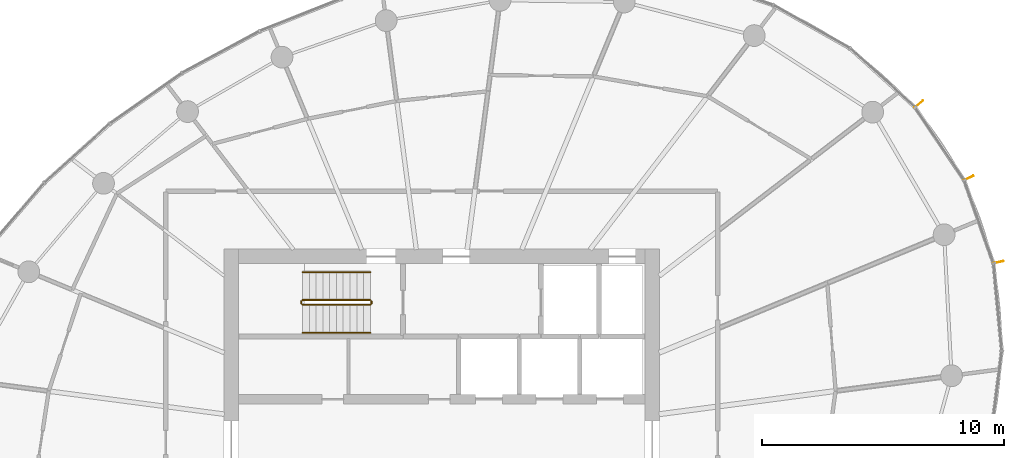
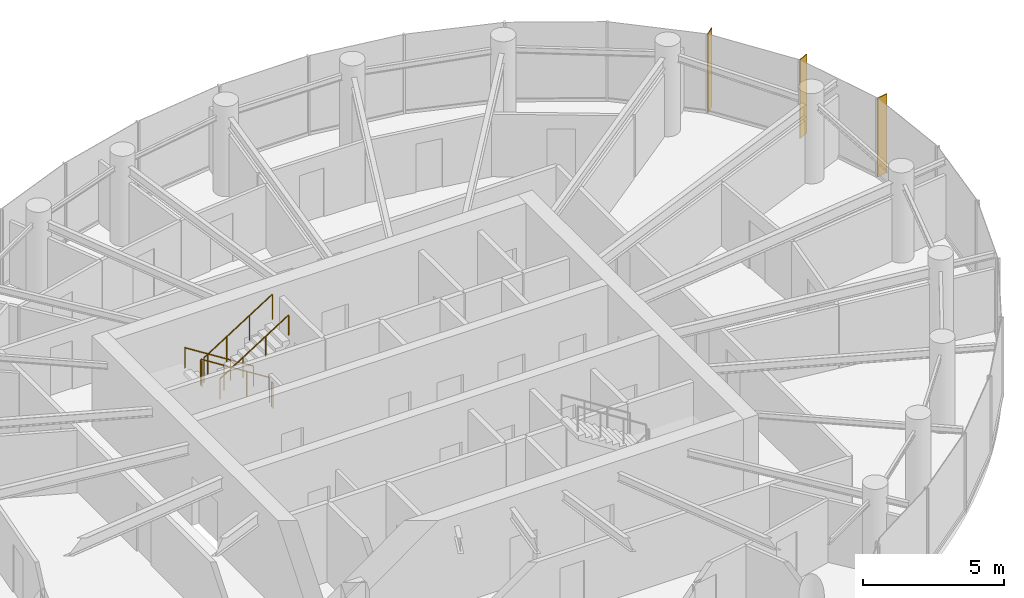
# One storey, part 14 of 14: 6 railings, 3 shading devices.
"""IFC4 building model written with IfcOpenShell, lengths in metres."""

from ifc_helpers import new_model, si_unit, direction, frame, origin, origin_2d, place, context, subcontext, project, spatial, rectangle, circle, extrude, source, transform, mapped, material, material_profile, profile_set, type_object, element, save


model = new_model("IFC4")

# Units and contexts
model_context = context("Model", 3, precision=1e-05, world=origin(), true_north=direction((0.0, 1.0)))
body_context = subcontext(model_context, "Body", "Model", "MODEL_VIEW")
ifc_project = project(units=[si_unit("LENGTHUNIT", "METRE"), si_unit("AREAUNIT", "SQUARE_METRE"), si_unit("VOLUMEUNIT", "CUBIC_METRE"), si_unit("PLANEANGLEUNIT", "RADIAN"), si_unit("MASSUNIT", "GRAM", prefix="KILO")], contexts=[model_context])

# Site, building, storey
site_placement = place(None, origin())
site = spatial("IfcSite", under=ifc_project, at=site_placement, CompositionType="ELEMENT")
building_placement = place(site_placement, origin())
building = spatial("IfcBuilding", under=site, at=building_placement, Name="Spindrift Exchange Tower", CompositionType="ELEMENT")
storey_placement = place(building_placement, frame((0.0, 0.0, 226.699951171875)))
storey = spatial("IfcBuildingStorey", under=building, at=storey_placement, Name="L55", CompositionType="ELEMENT", Elevation=226.699951171875)

# Railings
ifc_material_1 = material(Name="Steel balustrade", Category="steel")
railing_type_1 = type_object("IfcRailingType", Name="RL-STAIR-GUARD", PredefinedType="GUARDRAIL", material=ifc_material_1)
railing_1_placement = place(storey_placement, frame((49.050048828125, 53.89990234375, 0.17724609375)))
element("IfcRailing", 1, at=railing_1_placement, inside=storey, type_object=railing_type_1, Name="L55 ST1 stair guard 1", PredefinedType="GUARDRAIL", context=body_context, shape_type="SweptSolid", body=[
    extrude(circle(Radius=0.02392578125, at=origin_2d()), frame((0.0, 0.0, 1.076171875), z_axis=(-0.844908973607, 0.0, 0.534910110503), x_axis=(0.0, -1.0, 0.0)), (0.0, 0.0, 1.0), 3.31396484375),
    extrude(circle(Radius=0.02099609375, at=origin_2d()), origin(), (0.0, 0.0, 1.0), 1.052001953125),
    extrude(circle(Radius=0.02099609375, at=origin_2d()), frame((-0.933349609375, 0.0, 0.5908203125)), (0.0, 0.0, 1.0), 1.052001953125),
    extrude(circle(Radius=0.02099609375, at=origin_2d()), frame((-1.86669921875, 0.0, 1.181884765625)), (0.0, 0.0, 1.0), 1.052001953125),
    extrude(circle(Radius=0.02099609375, at=origin_2d()), frame((-2.800048828125, 0.0, 1.772705078125)), (0.0, 0.0, 1.0), 1.052001953125),
])
railing_2_placement = place(storey_placement, frame((46.199951171875, 53.85009765625, 1.949951171875)))
element("IfcRailing", 2, at=railing_2_placement, inside=storey, type_object=railing_type_1, Name="L55 ST1 stair guard 2", PredefinedType="GUARDRAIL", context=body_context, shape_type="SweptSolid", body=[
    extrude(circle(Radius=0.02392578125, at=origin_2d()), frame((0.0, 0.0, 1.076171875), z_axis=(0.0, -1.0, 0.0), x_axis=(1.0, 0.0, 0.0)), (0.0, 0.0, 1.0), 0.10009765625),
    extrude(circle(Radius=0.02099609375, at=origin_2d()), origin(), (0.0, 0.0, 1.0), 1.052001953125),
    extrude(circle(Radius=0.02099609375, at=origin_2d()), frame((0.0, -0.10009765625, 0.0)), (0.0, 0.0, 1.0), 1.052001953125),
])
railing_3_placement = place(storey_placement, frame((46.25, 53.699951171875, 2.12744140625)))
element("IfcRailing", 3, at=railing_3_placement, inside=storey, type_object=railing_type_1, Name="L55 ST1 stair guard 3", PredefinedType="GUARDRAIL", context=body_context, shape_type="SweptSolid", body=[
    extrude(circle(Radius=0.02392578125, at=origin_2d()), frame((0.0, 0.0, 1.076171875), z_axis=(0.844908973607, 0.0, 0.534910110503), x_axis=(0.0, 1.0, 0.0)), (0.0, 0.0, 1.0), 3.31396484375),
    extrude(circle(Radius=0.02099609375, at=origin_2d()), origin(), (0.0, 0.0, 1.0), 1.052001953125),
    extrude(circle(Radius=0.02099609375, at=origin_2d()), frame((0.933349609375, 0.0, 0.5908203125)), (0.0, 0.0, 1.0), 1.052001953125),
    extrude(circle(Radius=0.02099609375, at=origin_2d()), frame((1.86669921875, 0.0, 1.181884765625)), (0.0, 0.0, 1.0), 1.052001953125),
    extrude(circle(Radius=0.02099609375, at=origin_2d()), frame((2.800048828125, 0.0, 1.772705078125)), (0.0, 0.0, 1.0), 1.052001953125),
])
railing_4_placement = place(storey_placement, frame((49.10009765625, 53.85009765625, 0.0)))
element("IfcRailing", 4, at=railing_4_placement, inside=storey, type_object=railing_type_1, Name="L55 ST1 stair guard 4", PredefinedType="GUARDRAIL", context=body_context, shape_type="SweptSolid", body=[
    extrude(circle(Radius=0.02392578125, at=origin_2d()), frame((0.0, 0.0, 1.076171875), z_axis=(0.0, -1.0, 0.0), x_axis=(1.0, 0.0, 0.0)), (0.0, 0.0, 1.0), 0.10009765625),
    extrude(circle(Radius=0.02099609375, at=origin_2d()), origin(), (0.0, 0.0, 1.0), 1.052001953125),
    extrude(circle(Radius=0.02099609375, at=origin_2d()), frame((0.0, -0.10009765625, 0.0)), (0.0, 0.0, 1.0), 1.052001953125),
])
ifc_material_2 = material(Name="Steel tubular handrail", Category="steel")
railing_type_2 = type_object("IfcRailingType", Name="RL-STAIR-HAND", PredefinedType="HANDRAIL", material=ifc_material_2)
railing_5_placement = place(storey_placement, frame((49.050048828125, 55.050048828125, 0.17724609375)))
element("IfcRailing", 5, at=railing_5_placement, inside=storey, type_object=railing_type_2, Name="L55 ST1 stair handrail 1", PredefinedType="HANDRAIL", context=body_context, shape_type="SweptSolid", body=[
    extrude(circle(Radius=0.02392578125, at=origin_2d()), frame((0.0, 0.0, 0.8759765625), z_axis=(-0.844908973607, 0.0, 0.534910110503), x_axis=(0.0, -1.0, 0.0)), (0.0, 0.0, 1.0), 3.31396484375),
    extrude(circle(Radius=0.02099609375, at=origin_2d()), origin(), (0.0, 0.0, 1.0), 0.851806640625),
    extrude(circle(Radius=0.02099609375, at=origin_2d()), frame((-0.933349609375, 0.0, 0.5908203125)), (0.0, 0.0, 1.0), 0.851806640625),
    extrude(circle(Radius=0.02099609375, at=origin_2d()), frame((-1.86669921875, 0.0, 1.181884765625)), (0.0, 0.0, 1.0), 0.851806640625),
    extrude(circle(Radius=0.02099609375, at=origin_2d()), frame((-2.800048828125, 0.0, 1.772705078125)), (0.0, 0.0, 1.0), 0.851806640625),
])
railing_6_placement = place(storey_placement, frame((46.25, 52.550048828125, 2.12744140625)))
element("IfcRailing", 6, at=railing_6_placement, inside=storey, type_object=railing_type_2, Name="L55 ST1 stair handrail 2", PredefinedType="HANDRAIL", context=body_context, shape_type="SweptSolid", body=[
    extrude(circle(Radius=0.02392578125, at=origin_2d()), frame((0.0, 0.0, 0.8759765625), z_axis=(0.844908973607, 0.0, 0.534910110503), x_axis=(0.0, 1.0, 0.0)), (0.0, 0.0, 1.0), 3.31396484375),
    extrude(circle(Radius=0.02099609375, at=origin_2d()), origin(), (0.0, 0.0, 1.0), 0.851806640625),
    extrude(circle(Radius=0.02099609375, at=origin_2d()), frame((0.933349609375, 0.0, 0.5908203125)), (0.0, 0.0, 1.0), 0.851806640625),
    extrude(circle(Radius=0.02099609375, at=origin_2d()), frame((1.86669921875, 0.0, 1.181884765625)), (0.0, 0.0, 1.0), 0.851806640625),
    extrude(circle(Radius=0.02099609375, at=origin_2d()), frame((2.800048828125, 0.0, 1.772705078125)), (0.0, 0.0, 1.0), 0.851806640625),
])

# Shading devices
ifc_material_3 = material(Name="Bronze anodised aluminium", Category="aluminium")
ifc_material_profile = material_profile(ifc_material_3, rectangle(XDim=0.030029296875, YDim=0.449951171875, at=origin_2d()), Name="WIND FIN 30X450")
ifc_profile_set = profile_set([ifc_material_profile], Name="Bronze anodised aluminium")
shading_device_type = type_object("IfcShadingDeviceType", Name="WIND FIN 30X450", PredefinedType="USERDEFINED", material=ifc_profile_set)
shared_shape = source(origin(), body_context, "Body", "SweptSolid", [
    extrude(rectangle(XDim=0.030029296875, YDim=0.449951171875, at=origin_2d()), origin(), (0.0, 0.0, 1.0), 3.400146484375),
])
for number, where, z_axis, x_axis, name in (
    (7, (73.76318359375, 58.93408203125, 0.0), (0.0, 0.0, 1.0), (-0.448930708621, 0.893566572146, 0.0), "L55 wind fin 2"),
    (8, (71.70703125, 61.990478515625, 0.0), (0.0, 0.0, 1.0), (-0.655087697792, 0.755552849377, 0.0), "L55 wind fin 3"),
    (9, (74.98779296875, 55.460205078125, 0.0), (0.0, 0.0, 1.0), (-0.215161460387, 0.976578489403, 0.0), "L55 wind fin 4"),
):
    element("IfcShadingDevice", number, at=place(storey_placement, frame(where, z_axis=z_axis, x_axis=x_axis)), inside=storey, type_object=shading_device_type, Name=name, ObjectType="FIN", PredefinedType="USERDEFINED", context=body_context, shape_type="MappedRepresentation", body=[
        mapped(shared_shape, transform((0.0, 0.0, 0.0), scale=1.0)),
    ])

save(model, "model.ifc")
